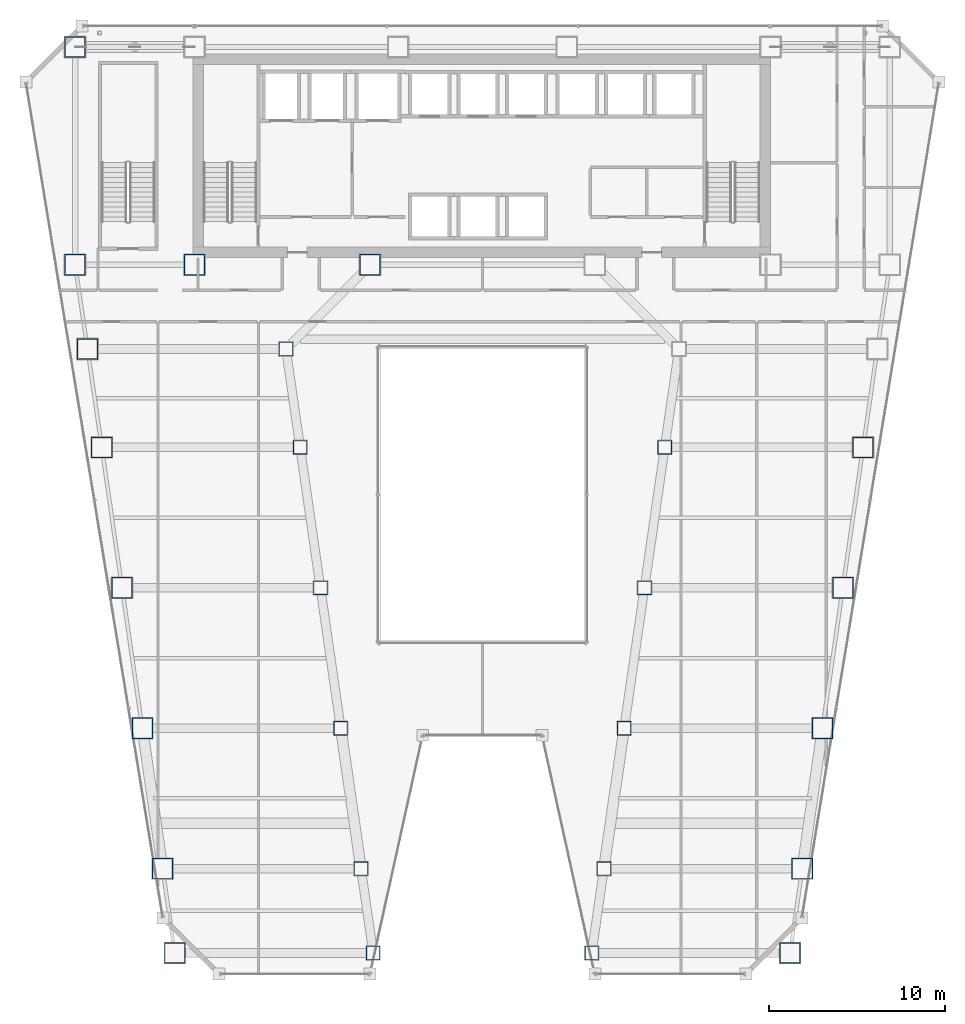
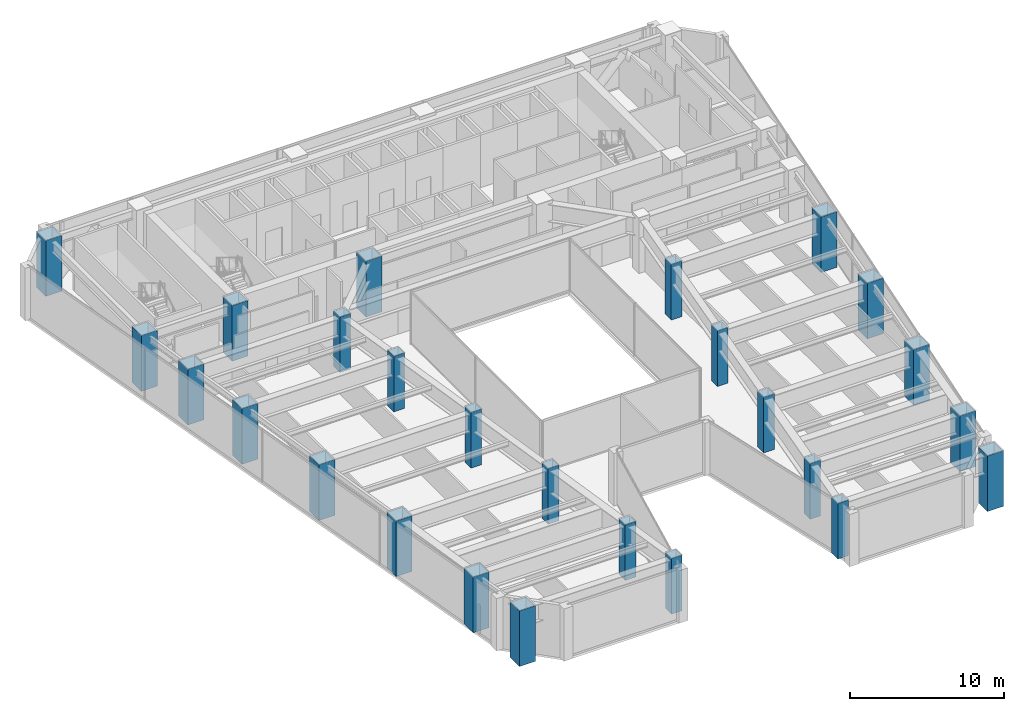
# One storey, part 1 of 40: 26 columns.
"""IFC4 building model written with IfcOpenShell, lengths in metres."""

from ifc_helpers import new_model, si_unit, direction, frame, origin, origin_2d, place, context, subcontext, project, spatial, hollow_rectangle, extrude, material, material_profile, profile_set, type_object, element, save


model = new_model("IFC4")

# Units and contexts
model_context = context("Model", 3, precision=1e-05, world=origin(), true_north=direction((0.0, 1.0)))
body_context = subcontext(model_context, "Body", "Model", "MODEL_VIEW")
ifc_project = project(units=[si_unit("LENGTHUNIT", "METRE"), si_unit("AREAUNIT", "SQUARE_METRE"), si_unit("VOLUMEUNIT", "CUBIC_METRE"), si_unit("PLANEANGLEUNIT", "RADIAN"), si_unit("MASSUNIT", "GRAM", prefix="KILO")], contexts=[model_context])

# Site, building, storey
site_placement = place(None, origin())
site = spatial("IfcSite", under=ifc_project, at=site_placement, CompositionType="ELEMENT")
building_placement = place(site_placement, origin())
building = spatial("IfcBuilding", under=site, at=building_placement, Name="Saevonmaru Cultural Tower", CompositionType="ELEMENT")
storey_placement = place(building_placement, frame((0.0, 0.0, 97.199951171875)))
storey = spatial("IfcBuildingStorey", under=building, at=storey_placement, Name="L20", CompositionType="ELEMENT", Elevation=97.199951171875)

# Columns
ifc_material_1 = material(Name="Steel HSA600 (600 MPa)", Category="steel")
ifc_material_profile_1 = material_profile(ifc_material_1, hollow_rectangle(XDim=1.199951171875, YDim=1.199951171875, WallThickness=0.054931640625, at=origin_2d()), Name="BOX-1200x1200x55")
ifc_profile_set_1 = profile_set([ifc_material_profile_1], Name="Steel HSA600 (600 MPa)")
column_type_1 = type_object("IfcColumnType", Name="COL-BOX-1200", PredefinedType="COLUMN", material=ifc_profile_set_1)
for number, where, z_axis, x_axis, name in (
    (1, (6.800048828125, 54.800048828125, 0.0), (0.0, 0.0, 1.0), (1.0, 0.0, 0.0), "L20 Column TC-N1N"),
    (2, (6.800048828125, 42.39990234375, 0.0), (0.0, 0.0, 1.0), (1.0, 0.0, 0.0), "L20 Column TC-S1C"),
    (3, (13.60009765625, 42.39990234375, 0.0), (0.0, 0.0, 1.0), (1.0, 0.0, 0.0), "L20 Column TC-S2C"),
    (4, (23.60009765625, 42.39990234375, 0.0), (0.0, 0.0, 1.0), (1.0, 0.0, 0.0), "L20 Column TC-S3C"),
    (5, (12.47705078125, 3.199951171875, 0.0), (0.0, 0.0, 1.0), (1.0, 0.0, 0.0), "L20 Column TC-WO-Y032"),
    (6, (47.52294921875, 3.199951171875, 0.0), (0.0, 0.0, 1.0), (1.0, 0.0, 0.0), "L20 Column TC-EO-Y032"),
    (7, (11.782958984375, 8.0, 0.0), (0.0, 0.0, 1.0), (1.0, 0.0, 0.0), "L20 Column TC-WO-Y080"),
    (8, (48.217041015625, 8.0, 0.0), (0.0, 0.0, 1.0), (1.0, 0.0, 0.0), "L20 Column TC-EO-Y080"),
    (9, (10.6279296875, 16.0, 0.0), (0.0, 0.0, 1.0), (1.0, 0.0, 0.0), "L20 Column TC-WO-Y160"),
    (10, (49.3720703125, 16.0, 0.0), (0.0, 0.0, 1.0), (1.0, 0.0, 0.0), "L20 Column TC-EO-Y160"),
    (11, (9.471923828125, 24.0, 0.0), (0.0, 0.0, 1.0), (1.0, 0.0, 0.0), "L20 Column TC-WO-Y240"),
    (12, (50.528076171875, 24.0, 0.0), (0.0, 0.0, 1.0), (1.0, 0.0, 0.0), "L20 Column TC-EO-Y240"),
    (13, (8.31689453125, 32.0, 0.0), (0.0, 0.0, 1.0), (1.0, 0.0, 0.0), "L20 Column TC-WO-Y320"),
    (14, (51.68310546875, 32.0, 0.0), (0.0, 0.0, 1.0), (1.0, 0.0, 0.0), "L20 Column TC-EO-Y320"),
    (15, (7.508056640625, 37.60009765625, 0.0), (0.0, 0.0, 1.0), (1.0, 0.0, 0.0), "L20 Column TC-WO-Y376"),
):
    element("IfcColumn", number, at=place(storey_placement, frame(where, z_axis=z_axis, x_axis=x_axis)), inside=storey, type_object=column_type_1, Name=name, PredefinedType="COLUMN", context=body_context, shape_type="SweptSolid", body=[
        extrude(hollow_rectangle(XDim=1.199951171875, YDim=1.199951171875, WallThickness=0.054931640625, at=origin_2d()), origin(), (0.0, 0.0, 1.0), 4.400146484375),
    ])
ifc_material_2 = material(Name="Steel SM420", Category="steel")
ifc_material_profile_2 = material_profile(ifc_material_2, hollow_rectangle(XDim=0.800048828125, YDim=0.800048828125, WallThickness=0.035888671875, at=origin_2d()), Name="BOX-800x800x36")
ifc_profile_set_2 = profile_set([ifc_material_profile_2], Name="Steel SM420")
column_type_2 = type_object("IfcColumnType", Name="COL-BOX-800", PredefinedType="COLUMN", material=ifc_profile_set_2)
for number, where, z_axis, x_axis, name in (
    (16, (23.777099609375, 3.199951171875, 0.0), (0.0, 0.0, 1.0), (1.0, 0.0, 0.0), "L20 Column TC-WI-Y032"),
    (17, (36.222900390625, 3.199951171875, 0.0), (0.0, 0.0, 1.0), (1.0, 0.0, 0.0), "L20 Column TC-EI-Y032"),
    (18, (23.0830078125, 8.0, 0.0), (0.0, 0.0, 1.0), (1.0, 0.0, 0.0), "L20 Column TC-WI-Y080"),
    (19, (36.9169921875, 8.0, 0.0), (0.0, 0.0, 1.0), (1.0, 0.0, 0.0), "L20 Column TC-EI-Y080"),
    (20, (21.927978515625, 16.0, 0.0), (0.0, 0.0, 1.0), (1.0, 0.0, 0.0), "L20 Column TC-WI-Y160"),
    (21, (38.072021484375, 16.0, 0.0), (0.0, 0.0, 1.0), (1.0, 0.0, 0.0), "L20 Column TC-EI-Y160"),
    (22, (20.77197265625, 24.0, 0.0), (0.0, 0.0, 1.0), (1.0, 0.0, 0.0), "L20 Column TC-WI-Y240"),
    (23, (39.22802734375, 24.0, 0.0), (0.0, 0.0, 1.0), (1.0, 0.0, 0.0), "L20 Column TC-EI-Y240"),
    (24, (19.616943359375, 32.0, 0.0), (0.0, 0.0, 1.0), (1.0, 0.0, 0.0), "L20 Column TC-WI-Y320"),
    (25, (40.383056640625, 32.0, 0.0), (0.0, 0.0, 1.0), (1.0, 0.0, 0.0), "L20 Column TC-EI-Y320"),
    (26, (18.80810546875, 37.60009765625, 0.0), (0.0, 0.0, 1.0), (1.0, 0.0, 0.0), "L20 Column TC-WI-Y376"),
):
    element("IfcColumn", number, at=place(storey_placement, frame(where, z_axis=z_axis, x_axis=x_axis)), inside=storey, type_object=column_type_2, Name=name, PredefinedType="COLUMN", context=body_context, shape_type="SweptSolid", body=[
        extrude(hollow_rectangle(XDim=0.800048828125, YDim=0.800048828125, WallThickness=0.035888671875, at=origin_2d()), origin(), (0.0, 0.0, 1.0), 4.400146484375),
    ])

save(model, "model.ifc")
